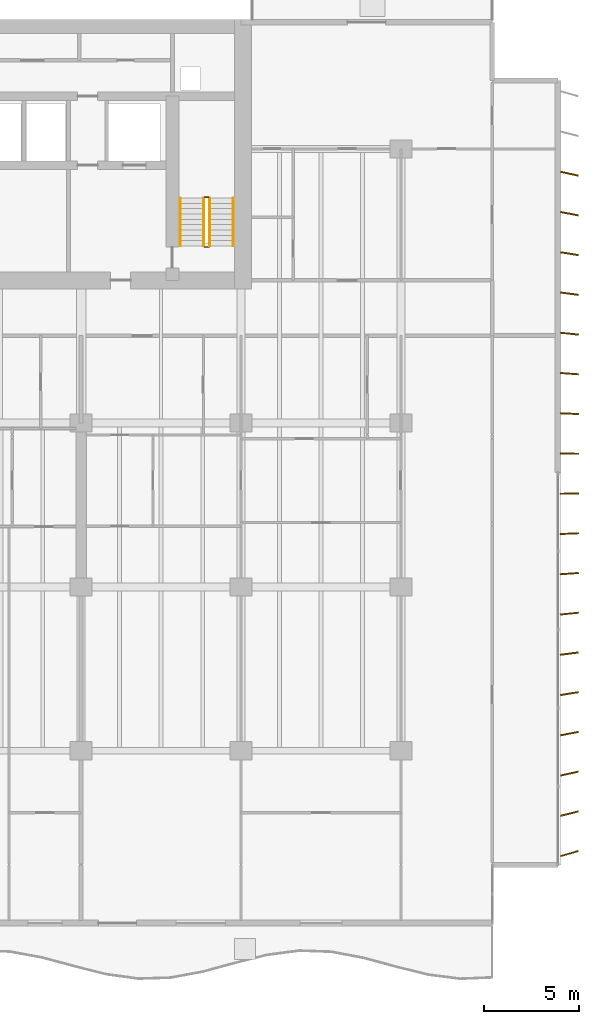
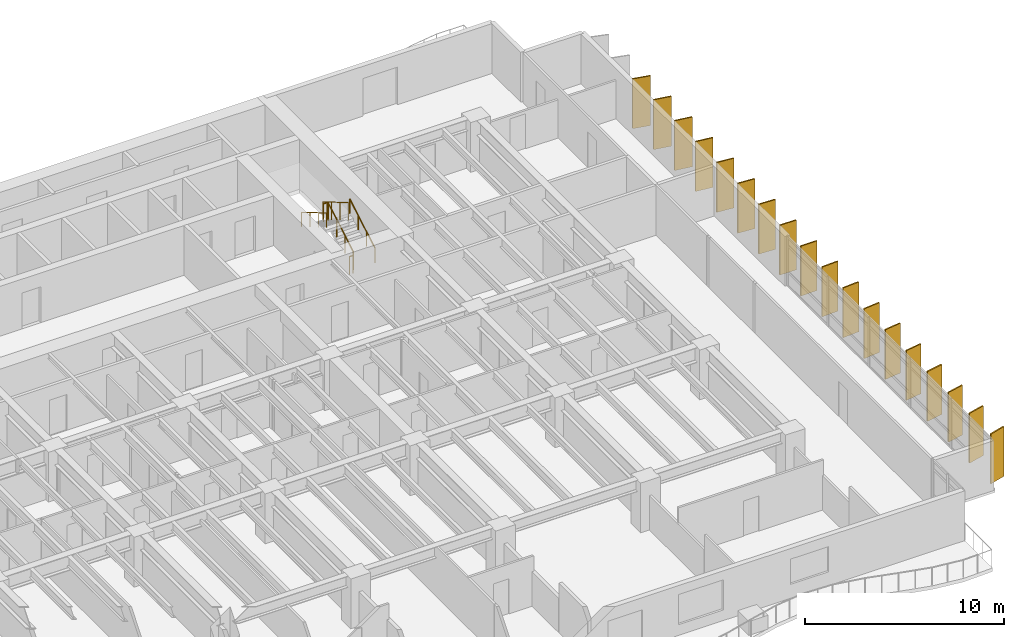
# One storey, part 17 of 18: 18 shading devices, 6 railings.
"""IFC4 building model written with IfcOpenShell, lengths in metres."""

import ifcopenshell
import ifcopenshell.guid

model = None  # the IFC model being written
_history = None  # IfcOwnerHistory: only IFC2X3 demands one
_inside = {}  # id of a spatial element -> (the spatial element, [elements in it])
_under = {}  # id of a project, library or spatial element -> (it, [spatial elements below it])
_declared = {}  # id of a project -> (the project, [libraries it declares])
_typed = {}  # id of a type object -> (the type object, [elements of that type])
_made_of = {}  # id of a material, layer set ... -> (it, [elements and type objects made of it])


def new_model(schema):
    """Start an empty IFC model of exactly this schema.

    Asked for "IFC4X3", IfcOpenShell would pick the latest addendum, in which some entities
    have other attributes; the version numbers below select the first issue.
    IFC2X3 requires an IfcOwnerHistory on every rooted entity: one is made here for all.
    """
    global model, _history
    if schema == "IFC4X3":
        model = ifcopenshell.file(schema_version=(4, 3, 0, 0))
    else:
        model = ifcopenshell.file(schema=schema)
    _inside.clear()
    _under.clear()
    _declared.clear()
    _typed.clear()
    _made_of.clear()
    _history = None
    if model.schema == "IFC2X3":
        org = make("IfcOrganization", Name="unknown")
        user = make(
            "IfcPersonAndOrganization",
            ThePerson=make("IfcPerson", FamilyName="unknown"),
            TheOrganization=org,
        )
        app = make(
            "IfcApplication",
            ApplicationDeveloper=org,
            Version="unknown",
            ApplicationFullName="unknown",
            ApplicationIdentifier="unknown",
        )
        _history = make(
            "IfcOwnerHistory",
            OwningUser=user,
            OwningApplication=app,
            ChangeAction="ADDED",
            CreationDate=0,
        )
    return model


def make(cls, **values):
    """One entity of the class cls with the attributes given. An attribute that is None is left unset."""
    return model.create_entity(
        cls, **{name: value for name, value in values.items() if value is not None}
    )


def rooted(cls, **values):
    """An entity with a GlobalId (a new one), such as an element, a storey or a relation."""
    return make(cls, GlobalId=ifcopenshell.guid.new(), OwnerHistory=_history, **values)


def si_unit(unit_type, name, prefix=None):
    """IfcSIUnit, for example si_unit("LENGTHUNIT", "METRE", prefix="MILLI")."""
    return make("IfcSIUnit", UnitType=unit_type, Prefix=prefix, Name=name)


def assignment(units):
    """IfcUnitAssignment: the units of a project."""
    return None if units is None else make("IfcUnitAssignment", Units=units)


def point(xyz):
    """IfcCartesianPoint."""
    return None if xyz is None else make("IfcCartesianPoint", Coordinates=xyz)


def direction(xyz):
    """IfcDirection."""
    return None if xyz is None else make("IfcDirection", DirectionRatios=xyz)


def frame(location, z_axis=None, x_axis=None):
    """IfcAxis2Placement3D, a coordinate frame: its origin and axes. An axis left out is left unset."""
    return make(
        "IfcAxis2Placement3D",
        Location=point(location),
        Axis=direction(z_axis),
        RefDirection=direction(x_axis),
    )


def frame_2d(location, x_axis=None):
    """IfcAxis2Placement2D, a coordinate frame in the plane: its origin and x axis."""
    return make(
        "IfcAxis2Placement2D", Location=point(location), RefDirection=direction(x_axis)
    )


def origin():
    """The frame at (0, 0, 0) with its axes left unset."""
    return frame((0.0, 0.0, 0.0))


def origin_2d():
    """The frame at (0, 0) in the plane with its x axis left unset."""
    return frame_2d((0.0, 0.0))


def place(relative_to, where):
    """IfcLocalPlacement: puts the frame where relative to a parent placement (None: the world)."""
    return make(
        "IfcLocalPlacement", PlacementRelTo=relative_to, RelativePlacement=where
    )


def context(
    kind, dimensions, precision=None, world=None, true_north=None, identifier=None
):
    """IfcGeometricRepresentationContext, for example the 3D "Model" context."""
    return make(
        "IfcGeometricRepresentationContext",
        ContextIdentifier=identifier,
        ContextType=kind,
        CoordinateSpaceDimension=dimensions,
        Precision=precision,
        WorldCoordinateSystem=world,
        TrueNorth=true_north,
    )


def subcontext(parent, identifier, kind, view, scale=None):
    """IfcGeometricRepresentationSubContext, for example "Body" below "Model"."""
    return make(
        "IfcGeometricRepresentationSubContext",
        ContextIdentifier=identifier,
        ContextType=kind,
        ParentContext=parent,
        TargetScale=scale,
        TargetView=view,
    )


def project(units=None, contexts=None):
    """IfcProject with its units and contexts."""
    return rooted(
        "IfcProject",
        Name="project",
        RepresentationContexts=contexts,
        UnitsInContext=assignment(units),
    )


def spatial(cls, under=None, at=None, **own):
    """A site, building, storey or space (cls), placed at a placement, below another one or the project."""
    s = rooted(cls, ObjectPlacement=at, **own)
    if under is not None:
        _under.setdefault(under.id(), (under, []))[1].append(s)
    return s


def profile(cls, at=None, kind="AREA", **sizes):
    """A parametric profile (cls). Its sizes go by their IFC names, for example OverallWidth=200.0."""
    return make(cls, ProfileType=kind, Position=at, **sizes)


def rectangle(**sizes):
    """IfcRectangleProfileDef."""
    return profile("IfcRectangleProfileDef", **sizes)


def circle(**sizes):
    """IfcCircleProfileDef."""
    return profile("IfcCircleProfileDef", **sizes)


def extrude(swept, where, along, depth):
    """IfcExtrudedAreaSolid: the profile swept, set in the frame where, extruded along a direction by depth."""
    return make(
        "IfcExtrudedAreaSolid",
        SweptArea=swept,
        Position=where,
        ExtrudedDirection=direction(along),
        Depth=depth,
    )


def shape(context_of_items, identifier, shape_type, items):
    """IfcShapeRepresentation: the items that make up one representation, for example the "Body"."""
    return make(
        "IfcShapeRepresentation",
        ContextOfItems=context_of_items,
        RepresentationIdentifier=identifier,
        RepresentationType=shape_type,
        Items=items,
    )


def material(Name=None, Category=None):
    """IfcMaterial."""
    return make("IfcMaterial", Name=Name, Category=Category)


def material_profile(
    of_material, cross_section, Name=None, Category=None, Priority=None
):
    """IfcMaterialProfile: a cross section and its material."""
    return make(
        "IfcMaterialProfile",
        Name=Name,
        Material=of_material,
        Profile=cross_section,
        Priority=Priority,
        Category=Category,
    )


def profile_set(profiles, Name=None, composite=None):
    """IfcMaterialProfileSet."""
    return make(
        "IfcMaterialProfileSet",
        Name=Name,
        MaterialProfiles=profiles,
        CompositeProfile=composite,
    )


def made_of(thing, what):
    """Note that an element or type object is made of a material, layer set ...; save() writes the relation."""
    if what is not None:
        _made_of.setdefault(what.id(), (what, []))[1].append(thing)
    return thing


def type_object(cls, material=None, **own):
    """A type object (cls), such as IfcWallType, which elements share."""
    return made_of(rooted(cls, **own), material)


def element(
    cls,
    number,
    at=None,
    inside=None,
    cuts=None,
    type_object=None,
    material=None,
    context=None,
    identifier="Body",
    shape_type=None,
    held_by="IfcProductDefinitionShape",
    body=None,
    shapes=None,
    **own,
):
    """One element of the class cls, such as IfcWall. Its Tag is "e" and its number.

    at: its placement. inside: the storey or other place that contains it. cuts: it is an
    opening in that element (IfcRelVoidsElement). A single representation is given by context,
    identifier, shape_type and body (its items); several are given by shapes. held_by: the class
    of the entity that holds the representations. save() writes the other relations.
    """
    e = rooted(cls, Tag="e%d" % number, ObjectPlacement=at, **own)
    if body is not None:
        shapes = [shape(context, identifier, shape_type, body)]
    if shapes is not None:
        e.Representation = make(held_by, Representations=shapes)
    if inside is not None:
        _inside.setdefault(inside.id(), (inside, []))[1].append(e)
    if cuts is not None:
        rooted(
            "IfcRelVoidsElement", RelatingBuildingElement=cuts, RelatedOpeningElement=e
        )
    if type_object is not None:
        _typed.setdefault(type_object.id(), (type_object, []))[1].append(e)
    return made_of(e, material)


def aggregate(whole, parts):
    """IfcRelAggregates: a whole, such as a stair, and the parts it consists of."""
    return rooted("IfcRelAggregates", RelatingObject=whole, RelatedObjects=parts)


def save(model, path):
    """Write the relations noted so far, then the file.

    IfcRelAggregates (storeys below a building ...), IfcRelContainedInSpatialStructure (elements
    in a storey), IfcRelDefinesByType, IfcRelAssociatesMaterial and IfcRelDeclares: one each for
    every whole, place, type object, material and project.
    """
    for whole, parts in _under.values():
        aggregate(whole, parts)
    for where, things in _inside.values():
        rooted(
            "IfcRelContainedInSpatialStructure",
            RelatedElements=things,
            RelatingStructure=where,
        )
    for kind, things in _typed.values():
        rooted("IfcRelDefinesByType", RelatedObjects=things, RelatingType=kind)
    for what, things in _made_of.values():
        rooted("IfcRelAssociatesMaterial", RelatedObjects=things, RelatingMaterial=what)
    for by, libraries in _declared.values():
        rooted("IfcRelDeclares", RelatingContext=by, RelatedDefinitions=libraries)
    model.write(path)


model = new_model("IFC4")

# Units and contexts
model_context = context("Model", 3, precision=1e-05, world=origin(), true_north=direction((0.0, 1.0)))
body_context = subcontext(model_context, "Body", "Model", "MODEL_VIEW")
ifc_project = project(units=[si_unit("LENGTHUNIT", "METRE"), si_unit("AREAUNIT", "SQUARE_METRE"), si_unit("VOLUMEUNIT", "CUBIC_METRE"), si_unit("PLANEANGLEUNIT", "RADIAN"), si_unit("MASSUNIT", "GRAM", prefix="KILO")], contexts=[model_context])

# Site, building, storey
site_placement = place(None, origin())
site = spatial("IfcSite", under=ifc_project, at=site_placement, CompositionType="ELEMENT")
building_placement = place(site_placement, origin())
building = spatial("IfcBuilding", under=site, at=building_placement, Name="Caelmar Bay Residences", CompositionType="ELEMENT")
storey_placement = place(building_placement, frame((0.0, 0.0, 39.89990234375)))
storey = spatial("IfcBuildingStorey", under=building, at=storey_placement, Name="L09", CompositionType="ELEMENT", Elevation=39.89990234375)

# Railings
ifc_material_1 = material(Name="Painted galvanized steel stair guard 1100 mm", Category="steel")
railing_type_1 = type_object("IfcRailingType", Name="RL-GRD-1100", PredefinedType="GUARDRAIL", material=ifc_material_1)
railing_1_placement = place(storey_placement, frame((57.85009765625, 38.699951171875, 0.1650390625)))
element("IfcRailing", 1, at=railing_1_placement, inside=storey, type_object=railing_type_1, Name="L09 ST2 stair guard 1", PredefinedType="GUARDRAIL", context=body_context, shape_type="SweptSolid", body=[
    extrude(circle(Radius=0.02392578125, at=origin_2d()), frame((0.0, 0.0, 1.076171875), z_axis=(0.0, 0.86152411907, 0.507716645641), x_axis=(-1.0, 0.0, 0.0)), (0.0, 0.0, 1.0), 2.925048828125),
    extrude(circle(Radius=0.02099609375, at=origin_2d()), origin(), (0.0, 0.0, 1.0), 1.052001953125),
    extrude(circle(Radius=0.02099609375, at=origin_2d()), frame((0.0, 0.840087890625, 0.4951171875)), (0.0, 0.0, 1.0), 1.052001953125),
    extrude(circle(Radius=0.02099609375, at=origin_2d()), frame((0.0, 1.679931640625, 0.989990234375)), (0.0, 0.0, 1.0), 1.052001953125),
    extrude(circle(Radius=0.02099609375, at=origin_2d()), frame((0.0, 2.52001953125, 1.485107421875)), (0.0, 0.0, 1.0), 1.052001953125),
])
railing_2_placement = place(storey_placement, frame((57.800048828125, 41.27001953125, 1.650146484375)))
element("IfcRailing", 2, at=railing_2_placement, inside=storey, type_object=railing_type_1, Name="L09 ST2 stair guard 2", PredefinedType="GUARDRAIL", context=body_context, shape_type="SweptSolid", body=[
    extrude(circle(Radius=0.02392578125, at=origin_2d()), frame((0.0, 0.0, 1.076171875), z_axis=(-1.0, 0.0, 0.0), x_axis=(0.0, -1.0, 0.0)), (0.0, 0.0, 1.0), 0.199951171875),
    extrude(circle(Radius=0.02099609375, at=origin_2d()), origin(), (0.0, 0.0, 1.0), 1.052001953125),
    extrude(circle(Radius=0.02099609375, at=origin_2d()), frame((-0.199951171875, 0.0, 0.0)), (0.0, 0.0, 1.0), 1.052001953125),
])
railing_3_placement = place(storey_placement, frame((57.550048828125, 41.219970703125, 1.815185546875)))
element("IfcRailing", 3, at=railing_3_placement, inside=storey, type_object=railing_type_1, Name="L09 ST2 stair guard 3", PredefinedType="GUARDRAIL", context=body_context, shape_type="SweptSolid", body=[
    extrude(circle(Radius=0.02392578125, at=origin_2d()), frame((0.0, 0.0, 1.076171875), z_axis=(0.0, -0.861560626758, 0.507654692109), x_axis=(1.0, 0.0, 0.0)), (0.0, 0.0, 1.0), 2.925048828125),
    extrude(circle(Radius=0.02099609375, at=origin_2d()), origin(), (0.0, 0.0, 1.0), 1.052001953125),
    extrude(circle(Radius=0.02099609375, at=origin_2d()), frame((0.0, -0.840087890625, 0.494873046875)), (0.0, 0.0, 1.0), 1.052001953125),
    extrude(circle(Radius=0.02099609375, at=origin_2d()), frame((0.0, -1.679931640625, 0.989990234375)), (0.0, 0.0, 1.0), 1.052001953125),
    extrude(circle(Radius=0.02099609375, at=origin_2d()), frame((0.0, -2.52001953125, 1.48486328125)), (0.0, 0.0, 1.0), 1.052001953125),
])
railing_4_placement = place(storey_placement, frame((57.800048828125, 38.64990234375, 0.0)))
element("IfcRailing", 4, at=railing_4_placement, inside=storey, type_object=railing_type_1, Name="L09 ST2 stair guard 4", PredefinedType="GUARDRAIL", context=body_context, shape_type="SweptSolid", body=[
    extrude(circle(Radius=0.02392578125, at=origin_2d()), frame((0.0, 0.0, 1.076171875), z_axis=(-1.0, 0.0, 0.0), x_axis=(0.0, -1.0, 0.0)), (0.0, 0.0, 1.0), 0.199951171875),
    extrude(circle(Radius=0.02099609375, at=origin_2d()), origin(), (0.0, 0.0, 1.0), 1.052001953125),
    extrude(circle(Radius=0.02099609375, at=origin_2d()), frame((-0.199951171875, 0.0, 0.0)), (0.0, 0.0, 1.0), 1.052001953125),
])
ifc_material_2 = material(Name="Brushed bronze stainless-steel tubular handrail 900 mm", Category="steel")
railing_type_2 = type_object("IfcRailingType", Name="RL-HND-900", PredefinedType="HANDRAIL", material=ifc_material_2)
railing_5_placement = place(storey_placement, frame((59.10009765625, 38.699951171875, 0.1650390625)))
element("IfcRailing", 5, at=railing_5_placement, inside=storey, type_object=railing_type_2, Name="L09 ST2 stair handrail 1", PredefinedType="HANDRAIL", context=body_context, shape_type="SweptSolid", body=[
    extrude(circle(Radius=0.02392578125, at=origin_2d()), frame((0.0, 0.0, 0.8759765625), z_axis=(0.0, 0.86152411907, 0.507716645641), x_axis=(-1.0, 0.0, 0.0)), (0.0, 0.0, 1.0), 2.925048828125),
    extrude(circle(Radius=0.02099609375, at=origin_2d()), origin(), (0.0, 0.0, 1.0), 0.851806640625),
    extrude(circle(Radius=0.02099609375, at=origin_2d()), frame((0.0, 0.840087890625, 0.4951171875)), (0.0, 0.0, 1.0), 0.851806640625),
    extrude(circle(Radius=0.02099609375, at=origin_2d()), frame((0.0, 1.679931640625, 0.989990234375)), (0.0, 0.0, 1.0), 0.851806640625),
    extrude(circle(Radius=0.02099609375, at=origin_2d()), frame((0.0, 2.52001953125, 1.485107421875)), (0.0, 0.0, 1.0), 0.851806640625),
])
railing_6_placement = place(storey_placement, frame((56.300048828125, 41.219970703125, 1.815185546875)))
element("IfcRailing", 6, at=railing_6_placement, inside=storey, type_object=railing_type_2, Name="L09 ST2 stair handrail 2", PredefinedType="HANDRAIL", context=body_context, shape_type="SweptSolid", body=[
    extrude(circle(Radius=0.02392578125, at=origin_2d()), frame((0.0, 0.0, 0.8759765625), z_axis=(0.0, -0.861560626758, 0.507654692109), x_axis=(1.0, 0.0, 0.0)), (0.0, 0.0, 1.0), 2.925048828125),
    extrude(circle(Radius=0.02099609375, at=origin_2d()), origin(), (0.0, 0.0, 1.0), 0.851806640625),
    extrude(circle(Radius=0.02099609375, at=origin_2d()), frame((0.0, -0.840087890625, 0.494873046875)), (0.0, 0.0, 1.0), 0.851806640625),
    extrude(circle(Radius=0.02099609375, at=origin_2d()), frame((0.0, -1.679931640625, 0.989990234375)), (0.0, 0.0, 1.0), 0.851806640625),
    extrude(circle(Radius=0.02099609375, at=origin_2d()), frame((0.0, -2.52001953125, 1.48486328125)), (0.0, 0.0, 1.0), 0.851806640625),
])

# Shading devices
ifc_material_3 = material(Name="Anodised architectural bronze aluminium 6063-T6", Category="aluminium")
ifc_material_profile = material_profile(ifc_material_3, rectangle(XDim=0.074951171875, YDim=0.949951171875, at=origin_2d()), Name="BRONZE-FIN-75X950")
ifc_profile_set = profile_set([ifc_material_profile], Name="Anodised architectural bronze aluminium 6063-T6")
shading_device_type = type_object("IfcShadingDeviceType", Name="SHD-FIN-950", PredefinedType="USERDEFINED", material=ifc_profile_set)
for number, where, z_axis, x_axis, name in (
    (7, (76.75, 6.800048828125, 0.0), (0.0, 0.0, 1.0), (-0.275637355817, 0.961261695938, 0.0), "L09 East Bronze Solar Fin 1"),
    (8, (76.75, 8.89990234375, 0.0), (0.0, 0.0, 1.0), (-0.247337247968, 0.968929453452, 0.0), "L09 East Bronze Solar Fin 2"),
    (9, (76.75, 11.0, 0.0), (0.0, 0.0, 1.0), (-0.218654200292, 0.975802408633, 0.0), "L09 East Bronze Solar Fin 3"),
    (10, (76.75, 13.10009765625, 0.0), (0.0, 0.0, 1.0), (-0.189952291512, 0.981793321911, 0.0), "L09 East Bronze Solar Fin 4"),
    (11, (76.75, 15.199951171875, 0.0), (0.0, 0.0, 1.0), (-0.160914826518, 0.986968296657, 0.0), "L09 East Bronze Solar Fin 5"),
    (12, (76.75, 17.300048828125, 0.0), (0.0, 0.0, 1.0), (-0.131910382711, 0.991261646052, 0.0), "L09 East Bronze Solar Fin 6"),
    (13, (76.75, 19.39990234375, 0.0), (0.0, 0.0, 1.0), (-0.10261892683, 0.994720742649, 0.0), "L09 East Bronze Solar Fin 7"),
    (14, (76.75, 21.5, 0.0), (0.0, 0.0, 1.0), (-0.073412260224, 0.997301679558, 0.0), "L09 East Bronze Solar Fin 8"),
    (15, (76.75, 23.60009765625, 0.0), (0.0, 0.0, 1.0), (-0.044142481788, 0.999025245578, 0.0), "L09 East Bronze Solar Fin 9"),
    (16, (76.75, 25.699951171875, 0.0), (0.0, 0.0, 1.0), (-0.01466024053, 0.999892532899, 0.0), "L09 East Bronze Solar Fin 10"),
    (17, (76.75, 27.800048828125, 0.0), (0.0, 0.0, 1.0), (0.01466024053, 0.999892532899, 0.0), "L09 East Bronze Solar Fin 11"),
    (18, (76.75, 29.89990234375, 0.0), (0.0, 0.0, 1.0), (0.044142481788, 0.999025245578, 0.0), "L09 East Bronze Solar Fin 12"),
    (19, (76.75, 32.0, 0.0), (0.0, 0.0, 1.0), (0.073412260224, 0.997301679558, 0.0), "L09 East Bronze Solar Fin 13"),
    (20, (76.75, 34.10009765625, 0.0), (0.0, 0.0, 1.0), (0.10261892683, 0.994720742649, 0.0), "L09 East Bronze Solar Fin 14"),
    (21, (76.75, 36.199951171875, 0.0), (0.0, 0.0, 1.0), (0.131910382711, 0.991261646052, 0.0), "L09 East Bronze Solar Fin 15"),
    (22, (76.75, 38.300048828125, 0.0), (0.0, 0.0, 1.0), (0.160914826518, 0.986968296657, 0.0), "L09 East Bronze Solar Fin 16"),
    (23, (76.75, 40.39990234375, 0.0), (0.0, 0.0, 1.0), (0.189952291512, 0.981793321911, 0.0), "L09 East Bronze Solar Fin 17"),
    (24, (76.75, 42.5, 0.0), (0.0, 0.0, 1.0), (0.218654200292, 0.975802408633, 0.0), "L09 East Bronze Solar Fin 18"),
):
    element("IfcShadingDevice", number, at=place(storey_placement, frame(where, z_axis=z_axis, x_axis=x_axis)), inside=storey, type_object=shading_device_type, Name=name, ObjectType="FIN", PredefinedType="USERDEFINED", context=body_context, shape_type="SweptSolid", body=[
        extrude(rectangle(XDim=0.074951171875, YDim=0.949951171875, at=origin_2d()), origin(), (0.0, 0.0, 1.0), 3.050048828125),
    ])

save(model, "model.ifc")
